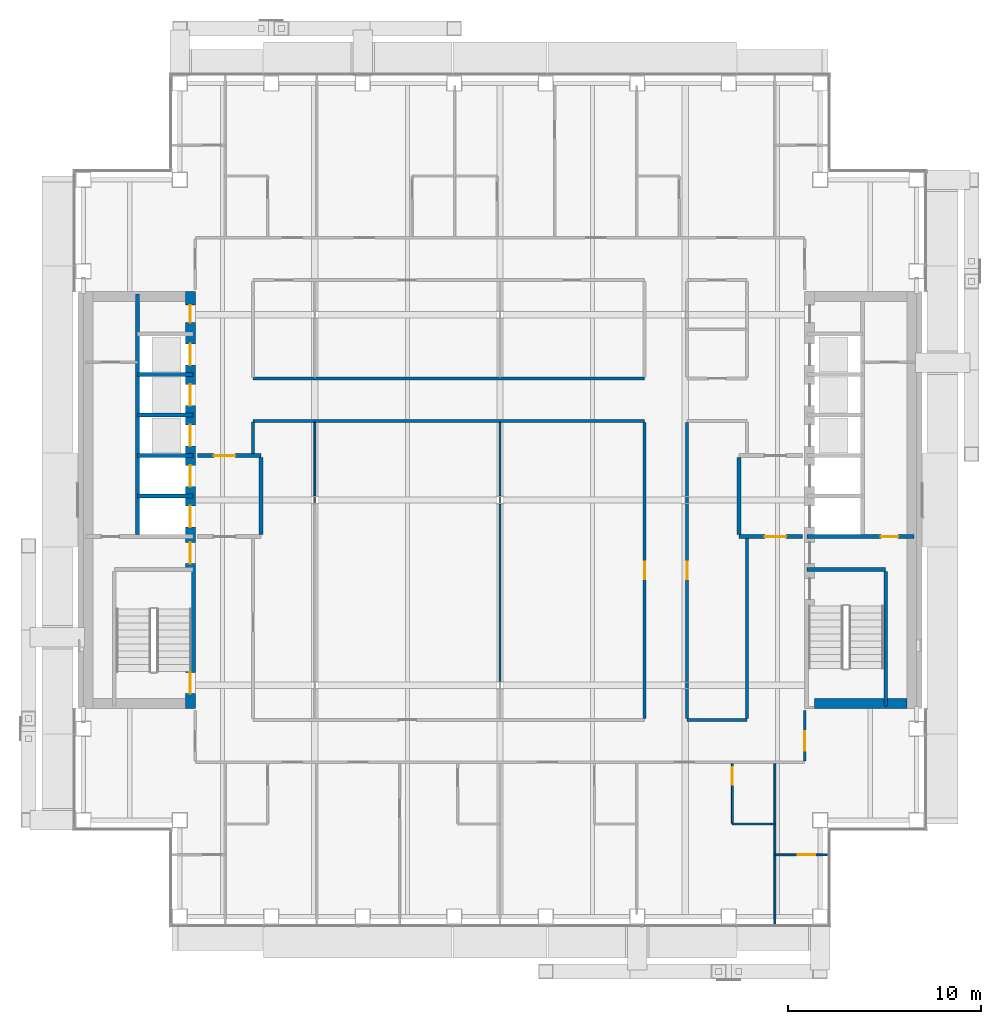
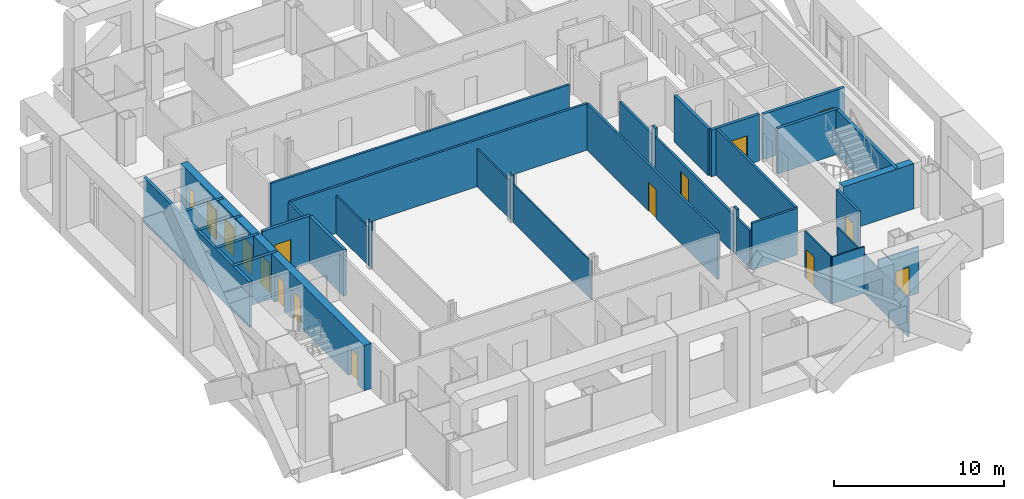
# One storey, part 13 of 22: 35 walls, 16 doors, 16 openings.
"""IFC4 building model written with IfcOpenShell, lengths in metres."""

from ifc_helpers import new_model, si_unit, direction, frame, frame_2d, origin, place, context, subcontext, project, spatial, rectangle, extrude, material, layer, layer_set, type_object, element, fill, save


model = new_model("IFC4")

# Units and contexts
model_context = context("Model", 3, precision=1e-05, world=origin(), true_north=direction((0.0, 1.0)))
body_context = subcontext(model_context, "Body", "Model", "MODEL_VIEW")
ifc_project = project(units=[si_unit("LENGTHUNIT", "METRE"), si_unit("AREAUNIT", "SQUARE_METRE"), si_unit("VOLUMEUNIT", "CUBIC_METRE"), si_unit("PLANEANGLEUNIT", "RADIAN"), si_unit("MASSUNIT", "GRAM", prefix="KILO")], contexts=[model_context])

# Site, building, storey
site_placement = place(None, origin())
site = spatial("IfcSite", under=ifc_project, at=site_placement, CompositionType="ELEMENT")
building_placement = place(site_placement, origin())
building = spatial("IfcBuilding", under=site, at=building_placement, Name="Cobrizo Arcos Hotel Tower", CompositionType="ELEMENT")
storey_placement = place(building_placement, frame((0.0, 0.0, 176.0)))
storey = spatial("IfcBuildingStorey", under=building, at=storey_placement, Name="L45", CompositionType="ELEMENT", Elevation=176.0)

# Walls
ifc_material_1 = material(Name="Gypsum board partition")
ifc_layer_1 = layer(ifc_material_1, 0.14990234375)
ifc_layer_set_1 = layer_set([ifc_layer_1], Name="Corridor wall EI 60 150")
wall_type_1 = type_object("IfcWallType", Name="Corridor wall EI 60 150", PredefinedType="PARTITIONING", material=ifc_layer_set_1)
wall_1_placement = place(storey_placement, frame((9.699951171875, -11.39990234375, 0.0), z_axis=(0.0, 0.0, 1.0), x_axis=(1.0, 0.0, 0.0)))
element("IfcWall", 1, at=wall_1_placement, inside=storey, type_object=wall_type_1, Name="Partition 009", PredefinedType="PARTITIONING", context=body_context, shape_type="SweptSolid", body=[
    extrude(rectangle(XDim=3.10009765625, YDim=0.14990234375, at=frame_2d((1.550048828125, 0.0))), origin(), (0.0, 0.0, 1.0), 3.35009765625),
])
for number, where, z_axis, x_axis, name in (
    (2, (-12.800048828125, 4.10009765625, 0.0), (0.0, 0.0, 1.0), (1.0, 0.0, 0.0), "Partition 022"),
    (3, (-12.800048828125, 6.300048828125, 0.0), (0.0, 0.0, 1.0), (1.0, 0.0, 0.0), "Partition 026"),
):
    element("IfcWall", number, at=place(storey_placement, frame(where, z_axis=z_axis, x_axis=x_axis)), inside=storey, type_object=wall_type_1, Name=name, PredefinedType="PARTITIONING", context=body_context, shape_type="SweptSolid", body=[
        extrude(rectangle(XDim=20.300048828125, YDim=0.14990234375, at=frame_2d((10.14990234375, 0.0))), origin(), (0.0, 0.0, 1.0), 3.35009765625),
    ])
wall_2_placement = place(storey_placement, frame((-12.800048828125, 2.39990234375, 0.0), z_axis=(0.0, 0.0, 1.0), x_axis=(0.0, 1.0, 0.0)))
element("IfcWall", 4, at=wall_2_placement, inside=storey, type_object=wall_type_1, Name="Partition 051", PredefinedType="PARTITIONING", context=body_context, shape_type="SweptSolid", body=[
    extrude(rectangle(XDim=1.650146484375, YDim=0.14990234375, at=frame_2d((0.8251953125, 0.0))), origin(), (0.0, 0.0, 1.0), 3.35009765625),
])

# Wall, opening, door
wall_3_placement = place(storey_placement, frame((7.5, -11.324951171875, 0.0), z_axis=(0.0, 0.0, 1.0), x_axis=(0.0, 1.0, 0.0)))
wall_3 = element("IfcWall", 5, at=wall_3_placement, inside=storey, type_object=wall_type_1, Name="Partition 086", PredefinedType="PARTITIONING", context=body_context, shape_type="SweptSolid", body=[
    extrude(rectangle(XDim=15.349853515625, YDim=0.14990234375, at=frame_2d((7.6748046875, 0.0))), origin(), (0.0, 0.0, 1.0), 3.35009765625),
])
opening_1_placement = place(wall_3_placement, frame((7.22509765625, 0.0, 0.0)))
opening_1 = element("IfcOpeningElement", 6, at=opening_1_placement, cuts=wall_3, Name="Opening RD-14", PredefinedType="OPENING", context=body_context, shape_type="SweptSolid", body=[
    extrude(rectangle(XDim=0.89990234375, YDim=2.10009765625, at=frame_2d((0.449951171875, 1.050048828125))), frame((0.0, 0.0869140625, 0.0), z_axis=(0.0, -1.0, 0.0), x_axis=(1.0, 0.0, 0.0)), (0.0, 0.0, 1.0), 0.173828125),
])
ifc_material_2 = material(Name="Timber door leaf", Category="wood")
door_type_1 = type_object("IfcDoorType", Name="Room door FD30 900x2100", OperationType="SINGLE_SWING_LEFT", PredefinedType="DOOR", material=ifc_material_2)
door_1_placement = place(opening_1_placement, origin())
door_1 = element("IfcDoor", 7, at=door_1_placement, inside=storey, type_object=door_type_1, Name="Door RD-14", OperationType="SINGLE_SWING_LEFT", OverallHeight=2.10009765625, OverallWidth=0.89990234375, PredefinedType="DOOR", context=body_context, shape_type="SweptSolid", body=[
    extrude(rectangle(XDim=0.89990234375, YDim=2.10009765625, at=frame_2d((0.449951171875, 1.050048828125))), frame((0.0, 0.02490234375, 0.0), z_axis=(0.0, -1.0, 0.0), x_axis=(1.0, 0.0, 0.0)), (0.0, 0.0, 1.0), 0.050048828125),
])
fill(opening_1, door_1)

# Walls
wall_4_placement = place(storey_placement, frame((9.699951171875, -11.324951171875, 0.0), z_axis=(0.0, 0.0, 1.0), x_axis=(0.0, 1.0, 0.0)))
element("IfcWall", 8, at=wall_4_placement, inside=storey, type_object=wall_type_1, Name="Partition 089", PredefinedType="PARTITIONING", context=body_context, shape_type="SweptSolid", body=[
    extrude(rectangle(XDim=1.537841796875, YDim=0.14990234375, at=frame_2d((0.76904296875, 0.0))), origin(), (0.0, 0.0, 1.0), 2.72802734375),
])
wall_5_placement = place(storey_placement, frame((9.699951171875, -9.787109375, 0.0), z_axis=(0.0, 0.0, 1.0), x_axis=(0.0, 1.0, 0.0)))
element("IfcWall", 9, at=wall_5_placement, inside=storey, type_object=wall_type_1, Name="Partition 090", PredefinedType="PARTITIONING", context=body_context, shape_type="SweptSolid", body=[
    extrude(rectangle(XDim=0.3740234375, YDim=0.14990234375, at=frame_2d((0.18701171875, 0.0))), origin(), (0.0, 0.0, 1.0), 3.35009765625),
])

# Wall, opening, door
wall_6_placement = place(storey_placement, frame((9.699951171875, -9.4130859375, 0.0), z_axis=(0.0, 0.0, 1.0), x_axis=(0.0, 1.0, 0.0)))
wall_6 = element("IfcWall", 10, at=wall_6_placement, inside=storey, type_object=wall_type_1, Name="Partition 091", PredefinedType="PARTITIONING", context=body_context, shape_type="SweptSolid", body=[
    extrude(rectangle(XDim=9.22607421875, YDim=0.14990234375, at=frame_2d((4.613037109375, 0.0))), origin(), (0.0, 0.0, 1.0), 2.72802734375),
])
opening_2_placement = place(wall_6_placement, frame((5.31298828125, 0.0, 0.0)))
opening_2 = element("IfcOpeningElement", 11, at=opening_2_placement, cuts=wall_6, Name="Opening RD-11", PredefinedType="OPENING", context=body_context, shape_type="SweptSolid", body=[
    extrude(rectangle(XDim=0.89990234375, YDim=2.10009765625, at=frame_2d((0.449951171875, 1.050048828125))), frame((0.0, 0.0869140625, 0.0), z_axis=(0.0, -1.0, 0.0), x_axis=(1.0, 0.0, 0.0)), (0.0, 0.0, 1.0), 0.173828125),
])
door_2_placement = place(opening_2_placement, origin())
door_2 = element("IfcDoor", 12, at=door_2_placement, inside=storey, type_object=door_type_1, Name="Door RD-11", OperationType="SINGLE_SWING_LEFT", OverallHeight=2.10009765625, OverallWidth=0.89990234375, PredefinedType="DOOR", context=body_context, shape_type="SweptSolid", body=[
    extrude(rectangle(XDim=0.89990234375, YDim=2.10009765625, at=frame_2d((0.449951171875, 1.050048828125))), frame((0.0, 0.02490234375, 0.0), z_axis=(0.0, -1.0, 0.0), x_axis=(1.0, 0.0, 0.0)), (0.0, 0.0, 1.0), 0.050048828125),
])
fill(opening_2, door_2)

# Walls
wall_7_placement = place(storey_placement, frame((9.699951171875, -0.18701171875, 0.0), z_axis=(0.0, 0.0, 1.0), x_axis=(0.0, 1.0, 0.0)))
element("IfcWall", 13, at=wall_7_placement, inside=storey, type_object=wall_type_1, Name="Partition 092", PredefinedType="PARTITIONING", context=body_context, shape_type="SweptSolid", body=[
    extrude(rectangle(XDim=0.3740234375, YDim=0.14990234375, at=frame_2d((0.18701171875, 0.0))), origin(), (0.0, 0.0, 1.0), 3.35009765625),
])
wall_8_placement = place(storey_placement, frame((9.699951171875, 0.18701171875, 0.0), z_axis=(0.0, 0.0, 1.0), x_axis=(0.0, 1.0, 0.0)))
element("IfcWall", 14, at=wall_8_placement, inside=storey, type_object=wall_type_1, Name="Partition 093", PredefinedType="PARTITIONING", context=body_context, shape_type="SweptSolid", body=[
    extrude(rectangle(XDim=3.837890625, YDim=0.14990234375, at=frame_2d((1.9189453125, 0.0))), origin(), (0.0, 0.0, 1.0), 2.72802734375),
])
wall_9_placement = place(storey_placement, frame((12.800048828125, -11.324951171875, 0.0), z_axis=(0.0, 0.0, 1.0), x_axis=(0.0, 1.0, 0.0)))
element("IfcWall", 15, at=wall_9_placement, inside=storey, type_object=wall_type_1, Name="Partition 099", PredefinedType="PARTITIONING", context=body_context, shape_type="SweptSolid", body=[
    extrude(rectangle(XDim=9.324951171875, YDim=0.14990234375, at=frame_2d((4.66259765625, 0.0))), origin(), (0.0, 0.0, 1.0), 3.35009765625),
])

# Wall, opening, door
wall_10_placement = place(storey_placement, frame((15.800048828125, -13.52490234375, 0.0), z_axis=(0.0, 0.0, 1.0), x_axis=(0.0, 1.0, 0.0)))
wall_10 = element("IfcWall", 16, at=wall_10_placement, inside=storey, type_object=wall_type_1, Name="Partition 105", PredefinedType="PARTITIONING", context=body_context, shape_type="SweptSolid", body=[
    extrude(rectangle(XDim=2.60498046875, YDim=0.14990234375, at=frame_2d((1.302490234375, 0.0))), origin(), (0.0, 0.0, 1.0), 3.35009765625),
])
opening_3_placement = place(wall_10_placement, frame((0.52490234375, 0.0, 0.0)))
opening_3 = element("IfcOpeningElement", 17, at=opening_3_placement, cuts=wall_10, Name="Opening GD-11", PredefinedType="OPENING", context=body_context, shape_type="SweptSolid", body=[
    extrude(rectangle(XDim=1.0, YDim=2.10009765625, at=frame_2d((0.5, 1.050048828125))), frame((0.0, 0.0869140625, 0.0), z_axis=(0.0, -1.0, 0.0), x_axis=(1.0, 0.0, 0.0)), (0.0, 0.0, 1.0), 0.173828125),
])
door_type_2 = type_object("IfcDoorType", Name="Guest room door FD30S 1000x2100", OperationType="SINGLE_SWING_LEFT", PredefinedType="DOOR", material=ifc_material_2)
door_3_placement = place(opening_3_placement, origin())
door_3 = element("IfcDoor", 18, at=door_3_placement, inside=storey, type_object=door_type_2, Name="Door GD-11", OperationType="SINGLE_SWING_RIGHT", OverallHeight=2.10009765625, OverallWidth=1.0, PredefinedType="DOOR", context=body_context, shape_type="SweptSolid", body=[
    extrude(rectangle(XDim=1.0, YDim=2.10009765625, at=frame_2d((0.5, 1.050048828125))), frame((0.0, 0.02490234375, 0.0), z_axis=(0.0, -1.0, 0.0), x_axis=(1.0, 0.0, 0.0)), (0.0, 0.0, 1.0), 0.050048828125),
])
fill(opening_3, door_3)

ifc_layer_2 = layer(ifc_material_1, 0.10009765625)
ifc_layer_set_2 = layer_set([ifc_layer_2], Name="Partition EI 30 100")
wall_type_2 = type_object("IfcWallType", Name="Partition EI 30 100", PredefinedType="PARTITIONING", material=ifc_layer_set_2)
wall_11_placement = place(storey_placement, frame((14.25, -18.39990234375, 0.0), z_axis=(0.0, 0.0, 1.0), x_axis=(1.0, 0.0, 0.0)))
wall_11 = element("IfcWall", 19, at=wall_11_placement, inside=storey, type_object=wall_type_2, Name="Partition 002", PredefinedType="PARTITIONING", context=body_context, shape_type="SweptSolid", body=[
    extrude(rectangle(XDim=2.780029296875, YDim=0.10009765625, at=frame_2d((1.39013671875, 0.0))), origin(), (0.0, 0.0, 1.0), 3.35009765625),
])
opening_4_placement = place(wall_11_placement, frame((1.18896484375, 0.0, 0.0)))
opening_4 = element("IfcOpeningElement", 20, at=opening_4_placement, cuts=wall_11, Name="Opening ED-11", PredefinedType="OPENING", context=body_context, shape_type="SweptSolid", body=[
    extrude(rectangle(XDim=0.89990234375, YDim=2.10009765625, at=frame_2d((0.449951171875, 1.050048828125))), frame((0.0, 0.06201171875, 0.0), z_axis=(0.0, -1.0, 0.0), x_axis=(1.0, 0.0, 0.0)), (0.0, 0.0, 1.0), 0.1240234375),
])
door_type_3 = type_object("IfcDoorType", Name="En-suite door 900x2100", OperationType="SINGLE_SWING_LEFT", PredefinedType="DOOR", material=ifc_material_2)
door_4_placement = place(opening_4_placement, origin())
door_4 = element("IfcDoor", 21, at=door_4_placement, inside=storey, type_object=door_type_3, Name="Door ED-11", OperationType="SINGLE_SWING_LEFT", OverallHeight=2.10009765625, OverallWidth=0.89990234375, PredefinedType="DOOR", context=body_context, shape_type="SweptSolid", body=[
    extrude(rectangle(XDim=0.89990234375, YDim=2.10009765625, at=frame_2d((0.449951171875, 1.050048828125))), frame((0.0, 0.02490234375, 0.0), z_axis=(0.0, -1.0, 0.0), x_axis=(1.0, 0.0, 0.0)), (0.0, 0.0, 1.0), 0.050048828125),
])
fill(opening_4, door_4)

# Walls
wall_12_placement = place(storey_placement, frame((12.050048828125, -16.800048828125, 0.0), z_axis=(0.0, 0.0, 1.0), x_axis=(1.0, 0.0, 0.0)))
element("IfcWall", 22, at=wall_12_placement, inside=storey, type_object=wall_type_2, Name="Partition 006", PredefinedType="PARTITIONING", context=body_context, shape_type="SweptSolid", body=[
    extrude(rectangle(XDim=2.199951171875, YDim=0.10009765625, at=frame_2d((1.10009765625, 0.0))), origin(), (0.0, 0.0, 1.0), 3.35009765625),
])
wall_13_placement = place(storey_placement, frame((-9.60009765625, -0.18701171875, 0.0), z_axis=(0.0, 0.0, 1.0), x_axis=(0.0, 1.0, 0.0)))
element("IfcWall", 23, at=wall_13_placement, inside=storey, type_object=wall_type_2, Name="Partition 060", PredefinedType="PARTITIONING", context=body_context, shape_type="SweptSolid", body=[
    extrude(rectangle(XDim=0.3740234375, YDim=0.10009765625, at=frame_2d((0.18701171875, 0.0))), origin(), (0.0, 0.0, 1.0), 3.35009765625),
])
wall_14_placement = place(storey_placement, frame((-9.60009765625, 0.18701171875, 0.0), z_axis=(0.0, 0.0, 1.0), x_axis=(0.0, 1.0, 0.0)))
element("IfcWall", 24, at=wall_14_placement, inside=storey, type_object=wall_type_2, Name="Partition 061", PredefinedType="PARTITIONING", context=body_context, shape_type="SweptSolid", body=[
    extrude(rectangle(XDim=3.837890625, YDim=0.10009765625, at=frame_2d((1.9189453125, 0.0))), origin(), (0.0, 0.0, 1.0), 2.72802734375),
])
wall_15_placement = place(storey_placement, frame((0.0, -9.4130859375, 0.0), z_axis=(0.0, 0.0, 1.0), x_axis=(0.0, 1.0, 0.0)))
element("IfcWall", 25, at=wall_15_placement, inside=storey, type_object=wall_type_2, Name="Partition 076", PredefinedType="PARTITIONING", context=body_context, shape_type="SweptSolid", body=[
    extrude(rectangle(XDim=9.22607421875, YDim=0.10009765625, at=frame_2d((4.613037109375, 0.0))), origin(), (0.0, 0.0, 1.0), 2.72802734375),
])
wall_16_placement = place(storey_placement, frame((0.0, -0.18701171875, 0.0), z_axis=(0.0, 0.0, 1.0), x_axis=(0.0, 1.0, 0.0)))
element("IfcWall", 26, at=wall_16_placement, inside=storey, type_object=wall_type_2, Name="Partition 077", PredefinedType="PARTITIONING", context=body_context, shape_type="SweptSolid", body=[
    extrude(rectangle(XDim=0.3740234375, YDim=0.10009765625, at=frame_2d((0.18701171875, 0.0))), origin(), (0.0, 0.0, 1.0), 3.35009765625),
])
wall_17_placement = place(storey_placement, frame((0.0, 0.18701171875, 0.0), z_axis=(0.0, 0.0, 1.0), x_axis=(0.0, 1.0, 0.0)))
element("IfcWall", 27, at=wall_17_placement, inside=storey, type_object=wall_type_2, Name="Partition 078", PredefinedType="PARTITIONING", context=body_context, shape_type="SweptSolid", body=[
    extrude(rectangle(XDim=3.837890625, YDim=0.10009765625, at=frame_2d((1.9189453125, 0.0))), origin(), (0.0, 0.0, 1.0), 2.72802734375),
])

# Wall, opening, door
wall_18_placement = place(storey_placement, frame((12.050048828125, -16.75, 0.0), z_axis=(0.0, 0.0, 1.0), x_axis=(0.0, 1.0, 0.0)))
wall_18 = element("IfcWall", 28, at=wall_18_placement, inside=storey, type_object=wall_type_2, Name="Partition 097", PredefinedType="PARTITIONING", context=body_context, shape_type="SweptSolid", body=[
    extrude(rectangle(XDim=3.074951171875, YDim=0.10009765625, at=frame_2d((1.53759765625, 0.0))), origin(), (0.0, 0.0, 1.0), 3.35009765625),
])
opening_5_placement = place(wall_18_placement, frame((1.99609375, 0.0, 0.0)))
opening_5 = element("IfcOpeningElement", 29, at=opening_5_placement, cuts=wall_18, Name="Opening ED-08", PredefinedType="OPENING", context=body_context, shape_type="SweptSolid", body=[
    extrude(rectangle(XDim=0.89990234375, YDim=2.10009765625, at=frame_2d((0.449951171875, 1.050048828125))), frame((0.0, 0.06201171875, 0.0), z_axis=(0.0, -1.0, 0.0), x_axis=(1.0, 0.0, 0.0)), (0.0, 0.0, 1.0), 0.1240234375),
])
door_5_placement = place(opening_5_placement, origin())
door_5 = element("IfcDoor", 30, at=door_5_placement, inside=storey, type_object=door_type_3, Name="Door ED-08", OperationType="SINGLE_SWING_RIGHT", OverallHeight=2.10009765625, OverallWidth=0.89990234375, PredefinedType="DOOR", context=body_context, shape_type="SweptSolid", body=[
    extrude(rectangle(XDim=0.89990234375, YDim=2.10009765625, at=frame_2d((0.449951171875, 1.050048828125))), frame((0.0, 0.02490234375, 0.0), z_axis=(0.0, -1.0, 0.0), x_axis=(1.0, 0.0, 0.0)), (0.0, 0.0, 1.0), 0.050048828125),
])
fill(opening_5, door_5)

# Walls
wall_19_placement = place(storey_placement, frame((14.25, -22.030029296875, 0.0), z_axis=(0.0, 0.0, 1.0), x_axis=(0.0, 1.0, 0.0)))
element("IfcWall", 31, at=wall_19_placement, inside=storey, type_object=wall_type_2, Name="Partition 103", PredefinedType="PARTITIONING", context=body_context, shape_type="SweptSolid", body=[
    extrude(rectangle(XDim=8.35498046875, YDim=0.10009765625, at=frame_2d((4.177490234375, 0.0))), origin(), (0.0, 0.0, 1.0), 2.81689453125),
])
ifc_material_3 = material(Name="Concrete f'c 50 MPa", Category="concrete")
ifc_layer_3 = layer(ifc_material_3, 0.5)
ifc_layer_set_3 = layer_set([ifc_layer_3], Name="RC core wall 500 f'c 50")
wall_type_3 = type_object("IfcWallType", Name="RC core wall 500 f'c 50", PredefinedType="SHEAR", material=ifc_layer_set_3)
wall_20_placement = place(storey_placement, frame((16.300048828125, -10.550048828125, 0.0), z_axis=(0.0, 0.0, 1.0), x_axis=(1.0, 0.0, 0.0)))
element("IfcWall", 32, at=wall_20_placement, inside=storey, type_object=wall_type_3, Name="Core wall CW3, east core, south end, L45", PredefinedType="SHEAR", context=body_context, shape_type="SweptSolid", body=[
    extrude(rectangle(XDim=4.800048828125, YDim=0.5, at=frame_2d((2.39990234375, 0.0))), origin(), (0.0, 0.0, 1.0), 3.25),
])

# Wall, openings, doors
wall_21_placement = place(storey_placement, frame((-16.050048828125, -10.800048828125, 0.0), z_axis=(0.0, 0.0, 1.0), x_axis=(0.0, 1.0, 0.0)))
wall_21 = element("IfcWall", 33, at=wall_21_placement, inside=storey, type_object=wall_type_3, Name="Core wall CW3, west core, inner face, L45", PredefinedType="SHEAR", context=body_context, shape_type="SweptSolid", body=[
    extrude(rectangle(XDim=21.60009765625, YDim=0.5, at=frame_2d((10.800048828125, 0.0))), origin(), (0.0, 0.0, 1.0), 3.25),
])
opening_6_placement = place(wall_21_placement, frame((9.39990234375, 0.0, 0.0)))
opening_6 = element("IfcOpeningElement", 34, at=opening_6_placement, cuts=wall_21, Name="Opening LD-01", PredefinedType="OPENING", context=body_context, shape_type="SweptSolid", body=[
    extrude(rectangle(XDim=1.10009765625, YDim=2.10009765625, at=frame_2d((0.550048828125, 1.050048828125))), frame((0.0, 0.261962890625, 0.0), z_axis=(0.0, -1.0, 0.0), x_axis=(1.0, 0.0, 0.0)), (0.0, 0.0, 1.0), 0.52392578125),
])
opening_7_placement = place(wall_21_placement, frame((11.5, 0.0, 0.0)))
opening_7 = element("IfcOpeningElement", 35, at=opening_7_placement, cuts=wall_21, Name="Opening LD-02", PredefinedType="OPENING", context=body_context, shape_type="SweptSolid", body=[
    extrude(rectangle(XDim=1.10009765625, YDim=2.10009765625, at=frame_2d((0.550048828125, 1.050048828125))), frame((0.0, 0.261962890625, 0.0), z_axis=(0.0, -1.0, 0.0), x_axis=(1.0, 0.0, 0.0)), (0.0, 0.0, 1.0), 0.52392578125),
])
opening_8_placement = place(wall_21_placement, frame((13.60009765625, 0.0, 0.0)))
opening_8 = element("IfcOpeningElement", 36, at=opening_8_placement, cuts=wall_21, Name="Opening LD-03", PredefinedType="OPENING", context=body_context, shape_type="SweptSolid", body=[
    extrude(rectangle(XDim=1.10009765625, YDim=2.10009765625, at=frame_2d((0.550048828125, 1.050048828125))), frame((0.0, 0.261962890625, 0.0), z_axis=(0.0, -1.0, 0.0), x_axis=(1.0, 0.0, 0.0)), (0.0, 0.0, 1.0), 0.52392578125),
])
opening_9_placement = place(wall_21_placement, frame((15.699951171875, 0.0, 0.0)))
opening_9 = element("IfcOpeningElement", 37, at=opening_9_placement, cuts=wall_21, Name="Opening LD-04", PredefinedType="OPENING", context=body_context, shape_type="SweptSolid", body=[
    extrude(rectangle(XDim=1.10009765625, YDim=2.10009765625, at=frame_2d((0.550048828125, 1.050048828125))), frame((0.0, 0.261962890625, 0.0), z_axis=(0.0, -1.0, 0.0), x_axis=(1.0, 0.0, 0.0)), (0.0, 0.0, 1.0), 0.52392578125),
])
opening_10_placement = place(wall_21_placement, frame((17.800048828125, 0.0, 0.0)))
opening_10 = element("IfcOpeningElement", 38, at=opening_10_placement, cuts=wall_21, Name="Opening LD-05", PredefinedType="OPENING", context=body_context, shape_type="SweptSolid", body=[
    extrude(rectangle(XDim=1.10009765625, YDim=2.10009765625, at=frame_2d((0.550048828125, 1.050048828125))), frame((0.0, 0.261962890625, 0.0), z_axis=(0.0, -1.0, 0.0), x_axis=(1.0, 0.0, 0.0)), (0.0, 0.0, 1.0), 0.52392578125),
])
opening_11_placement = place(wall_21_placement, frame((0.758056640625, 0.0, 0.0)))
opening_11 = element("IfcOpeningElement", 39, at=opening_11_placement, cuts=wall_21, Name="Opening SD-01", PredefinedType="OPENING", context=body_context, shape_type="SweptSolid", body=[
    extrude(rectangle(XDim=1.10009765625, YDim=2.10009765625, at=frame_2d((0.550048828125, 1.050048828125))), frame((0.0, 0.261962890625, 0.0), z_axis=(0.0, -1.0, 0.0), x_axis=(1.0, 0.0, 0.0)), (0.0, 0.0, 1.0), 0.52392578125),
])
opening_12_placement = place(wall_21_placement, frame((7.5, 0.0, 0.0)))
opening_12 = element("IfcOpeningElement", 40, at=opening_12_placement, cuts=wall_21, Name="Opening FD-01", PredefinedType="OPENING", context=body_context, shape_type="SweptSolid", body=[
    extrude(rectangle(XDim=1.10009765625, YDim=2.10009765625, at=frame_2d((0.550048828125, 1.050048828125))), frame((0.0, 0.261962890625, 0.0), z_axis=(0.0, -1.0, 0.0), x_axis=(1.0, 0.0, 0.0)), (0.0, 0.0, 1.0), 0.52392578125),
])
opening_13_placement = place(wall_21_placement, frame((20.0, 0.0, 0.0)))
opening_13 = element("IfcOpeningElement", 41, at=opening_13_placement, cuts=wall_21, Name="Opening RD-01", PredefinedType="OPENING", context=body_context, shape_type="SweptSolid", body=[
    extrude(rectangle(XDim=0.89990234375, YDim=2.10009765625, at=frame_2d((0.449951171875, 1.050048828125))), frame((0.0, 0.261962890625, 0.0), z_axis=(0.0, -1.0, 0.0), x_axis=(1.0, 0.0, 0.0)), (0.0, 0.0, 1.0), 0.52392578125),
])
ifc_material_4 = material(Name="Steel door leaf", Category="steel")
door_type_4 = type_object("IfcDoorType", Name="Fire door FD60 1100x2100", OperationType="SINGLE_SWING_LEFT", PredefinedType="DOOR", material=ifc_material_4)
door_6_placement = place(opening_12_placement, origin())
door_6 = element("IfcDoor", 42, at=door_6_placement, inside=storey, type_object=door_type_4, Name="Door FD-01", OperationType="SINGLE_SWING_RIGHT", OverallHeight=2.10009765625, OverallWidth=1.10009765625, PredefinedType="DOOR", context=body_context, shape_type="SweptSolid", body=[
    extrude(rectangle(XDim=1.10009765625, YDim=2.10009765625, at=frame_2d((0.550048828125, 1.050048828125))), frame((0.0, 0.02490234375, 0.0), z_axis=(0.0, -1.0, 0.0), x_axis=(1.0, 0.0, 0.0)), (0.0, 0.0, 1.0), 0.050048828125),
])
fill(opening_12, door_6)
door_type_5 = type_object("IfcDoorType", Name="Lift landing door 1100x2100", OperationType="SLIDING_TO_LEFT", PredefinedType="DOOR", material=ifc_material_4)
door_7_placement = place(opening_6_placement, origin())
door_7 = element("IfcDoor", 43, at=door_7_placement, inside=storey, type_object=door_type_5, Name="Lift landing door LD-01", OperationType="SLIDING_TO_LEFT", OverallHeight=2.10009765625, OverallWidth=1.10009765625, PredefinedType="DOOR", context=body_context, shape_type="SweptSolid", body=[
    extrude(rectangle(XDim=1.10009765625, YDim=2.10009765625, at=frame_2d((0.550048828125, 1.050048828125))), frame((0.0, 0.02490234375, 0.0), z_axis=(0.0, -1.0, 0.0), x_axis=(1.0, 0.0, 0.0)), (0.0, 0.0, 1.0), 0.050048828125),
])
fill(opening_6, door_7)
door_8_placement = place(opening_7_placement, origin())
door_8 = element("IfcDoor", 44, at=door_8_placement, inside=storey, type_object=door_type_5, Name="Lift landing door LD-02", OperationType="SLIDING_TO_LEFT", OverallHeight=2.10009765625, OverallWidth=1.10009765625, PredefinedType="DOOR", context=body_context, shape_type="SweptSolid", body=[
    extrude(rectangle(XDim=1.10009765625, YDim=2.10009765625, at=frame_2d((0.550048828125, 1.050048828125))), frame((0.0, 0.02490234375, 0.0), z_axis=(0.0, -1.0, 0.0), x_axis=(1.0, 0.0, 0.0)), (0.0, 0.0, 1.0), 0.050048828125),
])
fill(opening_7, door_8)
door_9_placement = place(opening_8_placement, origin())
door_9 = element("IfcDoor", 45, at=door_9_placement, inside=storey, type_object=door_type_5, Name="Lift landing door LD-03", OperationType="SLIDING_TO_LEFT", OverallHeight=2.10009765625, OverallWidth=1.10009765625, PredefinedType="DOOR", context=body_context, shape_type="SweptSolid", body=[
    extrude(rectangle(XDim=1.10009765625, YDim=2.10009765625, at=frame_2d((0.550048828125, 1.050048828125))), frame((0.0, 0.02490234375, 0.0), z_axis=(0.0, -1.0, 0.0), x_axis=(1.0, 0.0, 0.0)), (0.0, 0.0, 1.0), 0.050048828125),
])
fill(opening_8, door_9)
door_10_placement = place(opening_9_placement, origin())
door_10 = element("IfcDoor", 46, at=door_10_placement, inside=storey, type_object=door_type_5, Name="Lift landing door LD-04", OperationType="SLIDING_TO_LEFT", OverallHeight=2.10009765625, OverallWidth=1.10009765625, PredefinedType="DOOR", context=body_context, shape_type="SweptSolid", body=[
    extrude(rectangle(XDim=1.10009765625, YDim=2.10009765625, at=frame_2d((0.550048828125, 1.050048828125))), frame((0.0, 0.02490234375, 0.0), z_axis=(0.0, -1.0, 0.0), x_axis=(1.0, 0.0, 0.0)), (0.0, 0.0, 1.0), 0.050048828125),
])
fill(opening_9, door_10)
door_11_placement = place(opening_10_placement, origin())
door_11 = element("IfcDoor", 47, at=door_11_placement, inside=storey, type_object=door_type_5, Name="Lift landing door LD-05", OperationType="SLIDING_TO_LEFT", OverallHeight=2.10009765625, OverallWidth=1.10009765625, PredefinedType="DOOR", context=body_context, shape_type="SweptSolid", body=[
    extrude(rectangle(XDim=1.10009765625, YDim=2.10009765625, at=frame_2d((0.550048828125, 1.050048828125))), frame((0.0, 0.02490234375, 0.0), z_axis=(0.0, -1.0, 0.0), x_axis=(1.0, 0.0, 0.0)), (0.0, 0.0, 1.0), 0.050048828125),
])
fill(opening_10, door_11)
door_12_placement = place(opening_13_placement, origin())
door_12 = element("IfcDoor", 48, at=door_12_placement, inside=storey, type_object=door_type_1, Name="Door RD-01", OperationType="SINGLE_SWING_RIGHT", OverallHeight=2.10009765625, OverallWidth=0.89990234375, PredefinedType="DOOR", context=body_context, shape_type="SweptSolid", body=[
    extrude(rectangle(XDim=0.89990234375, YDim=2.10009765625, at=frame_2d((0.449951171875, 1.050048828125))), frame((0.0, 0.02490234375, 0.0), z_axis=(0.0, -1.0, 0.0), x_axis=(1.0, 0.0, 0.0)), (0.0, 0.0, 1.0), 0.050048828125),
])
fill(opening_13, door_12)
door_type_6 = type_object("IfcDoorType", Name="Stair door FD60S 1100x2100", OperationType="SINGLE_SWING_LEFT", PredefinedType="DOOR", material=ifc_material_4)
door_13_placement = place(opening_11_placement, origin())
door_13 = element("IfcDoor", 49, at=door_13_placement, inside=storey, type_object=door_type_6, Name="Door SD-01", OperationType="SINGLE_SWING_LEFT", OverallHeight=2.10009765625, OverallWidth=1.10009765625, PredefinedType="DOOR", context=body_context, shape_type="SweptSolid", body=[
    extrude(rectangle(XDim=1.10009765625, YDim=2.10009765625, at=frame_2d((0.550048828125, 1.050048828125))), frame((0.0, 0.02490234375, 0.0), z_axis=(0.0, -1.0, 0.0), x_axis=(1.0, 0.0, 0.0)), (0.0, 0.0, 1.0), 0.050048828125),
])
fill(opening_11, door_13)

# Wall, opening, door
ifc_layer_4 = layer(ifc_material_1, 0.199951171875)
ifc_layer_set_4 = layer_set([ifc_layer_4], Name="Shaft wall EI 120 200")
wall_type_4 = type_object("IfcWallType", Name="Shaft wall EI 120 200", PredefinedType="PARTITIONING", material=ifc_layer_set_4)
wall_22_placement = place(storey_placement, frame((12.39990234375, -1.89990234375, 0.0), z_axis=(0.0, 0.0, 1.0), x_axis=(1.0, 0.0, 0.0)))
wall_22 = element("IfcWall", 50, at=wall_22_placement, inside=storey, type_object=wall_type_4, Name="Partition 014", PredefinedType="PARTITIONING", context=body_context, shape_type="SweptSolid", body=[
    extrude(rectangle(XDim=3.280029296875, YDim=0.199951171875, at=frame_2d((1.64013671875, 0.0))), origin(), (0.0, 0.0, 1.0), 3.35009765625),
])
opening_14_placement = place(wall_22_placement, frame((1.340087890625, 0.0, 0.0)))
opening_14 = element("IfcOpeningElement", 51, at=opening_14_placement, cuts=wall_22, Name="Opening FD-06", PredefinedType="OPENING", context=body_context, shape_type="SweptSolid", body=[
    extrude(rectangle(XDim=1.10009765625, YDim=2.10009765625, at=frame_2d((0.550048828125, 1.050048828125))), frame((0.0, 0.112060546875, 0.0), z_axis=(0.0, -1.0, 0.0), x_axis=(1.0, 0.0, 0.0)), (0.0, 0.0, 1.0), 0.223876953125),
])
door_14_placement = place(opening_14_placement, origin())
door_14 = element("IfcDoor", 52, at=door_14_placement, inside=storey, type_object=door_type_4, Name="Door FD-06", OperationType="SINGLE_SWING_RIGHT", OverallHeight=2.10009765625, OverallWidth=1.10009765625, PredefinedType="DOOR", context=body_context, shape_type="SweptSolid", body=[
    extrude(rectangle(XDim=1.10009765625, YDim=2.10009765625, at=frame_2d((0.550048828125, 1.050048828125))), frame((0.0, 0.02490234375, 0.0), z_axis=(0.0, -1.0, 0.0), x_axis=(1.0, 0.0, 0.0)), (0.0, 0.0, 1.0), 0.050048828125),
])
fill(opening_14, door_14)

wall_23_placement = place(storey_placement, frame((15.919921875, -1.89990234375, 0.0), z_axis=(0.0, 0.0, 1.0), x_axis=(1.0, 0.0, 0.0)))
wall_23 = element("IfcWall", 53, at=wall_23_placement, inside=storey, type_object=wall_type_4, Name="Partition 015", PredefinedType="PARTITIONING", context=body_context, shape_type="SweptSolid", body=[
    extrude(rectangle(XDim=5.56005859375, YDim=0.199951171875, at=frame_2d((2.780029296875, 0.0))), origin(), (0.0, 0.0, 1.0), 3.25),
])
opening_15_placement = place(wall_23_placement, frame((3.830078125, 0.0, 0.0)))
opening_15 = element("IfcOpeningElement", 54, at=opening_15_placement, cuts=wall_23, Name="Opening RD-05", PredefinedType="OPENING", context=body_context, shape_type="SweptSolid", body=[
    extrude(rectangle(XDim=0.89990234375, YDim=2.10009765625, at=frame_2d((0.449951171875, 1.050048828125))), frame((0.0, 0.112060546875, 0.0), z_axis=(0.0, -1.0, 0.0), x_axis=(1.0, 0.0, 0.0)), (0.0, 0.0, 1.0), 0.223876953125),
])
door_15_placement = place(opening_15_placement, origin())
door_15 = element("IfcDoor", 55, at=door_15_placement, inside=storey, type_object=door_type_1, Name="Door RD-05", OperationType="SINGLE_SWING_RIGHT", OverallHeight=2.10009765625, OverallWidth=0.89990234375, PredefinedType="DOOR", context=body_context, shape_type="SweptSolid", body=[
    extrude(rectangle(XDim=0.89990234375, YDim=2.10009765625, at=frame_2d((0.449951171875, 1.050048828125))), frame((0.0, 0.02490234375, 0.0), z_axis=(0.0, -1.0, 0.0), x_axis=(1.0, 0.0, 0.0)), (0.0, 0.0, 1.0), 0.050048828125),
])
fill(opening_15, door_15)

# Walls
for number, where, z_axis, x_axis, name in (
    (56, (-18.800048828125, 0.199951171875, 0.0), (0.0, 0.0, 1.0), (1.0, 0.0, 0.0), "Partition 016"),
    (57, (-18.800048828125, 2.300048828125, 0.0), (0.0, 0.0, 1.0), (1.0, 0.0, 0.0), "Partition 018"),
):
    element("IfcWall", number, at=place(storey_placement, frame(where, z_axis=z_axis, x_axis=x_axis)), inside=storey, type_object=wall_type_4, Name=name, PredefinedType="PARTITIONING", context=body_context, shape_type="SweptSolid", body=[
        extrude(rectangle(XDim=2.880126953125, YDim=0.199951171875, at=frame_2d((1.43994140625, 0.0))), origin(), (0.0, 0.0, 1.0), 3.25),
    ])

# Wall, opening, door
wall_24_placement = place(storey_placement, frame((-15.679931640625, 2.300048828125, 0.0), z_axis=(0.0, 0.0, 1.0), x_axis=(1.0, 0.0, 0.0)))
wall_24 = element("IfcWall", 58, at=wall_24_placement, inside=storey, type_object=wall_type_4, Name="Partition 019", PredefinedType="PARTITIONING", context=body_context, shape_type="SweptSolid", body=[
    extrude(rectangle(XDim=3.280029296875, YDim=0.199951171875, at=frame_2d((1.64013671875, 0.0))), origin(), (0.0, 0.0, 1.0), 3.35009765625),
])
opening_16_placement = place(wall_24_placement, frame((0.840087890625, 0.0, 0.0)))
opening_16 = element("IfcOpeningElement", 59, at=opening_16_placement, cuts=wall_24, Name="Opening FD-02", PredefinedType="OPENING", context=body_context, shape_type="SweptSolid", body=[
    extrude(rectangle(XDim=1.10009765625, YDim=2.10009765625, at=frame_2d((0.550048828125, 1.050048828125))), frame((0.0, 0.112060546875, 0.0), z_axis=(0.0, -1.0, 0.0), x_axis=(1.0, 0.0, 0.0)), (0.0, 0.0, 1.0), 0.223876953125),
])
door_16_placement = place(opening_16_placement, origin())
door_16 = element("IfcDoor", 60, at=door_16_placement, inside=storey, type_object=door_type_4, Name="Door FD-02", OperationType="SINGLE_SWING_RIGHT", OverallHeight=2.10009765625, OverallWidth=1.10009765625, PredefinedType="DOOR", context=body_context, shape_type="SweptSolid", body=[
    extrude(rectangle(XDim=1.10009765625, YDim=2.10009765625, at=frame_2d((0.550048828125, 1.050048828125))), frame((0.0, 0.02490234375, 0.0), z_axis=(0.0, -1.0, 0.0), x_axis=(1.0, 0.0, 0.0)), (0.0, 0.0, 1.0), 0.050048828125),
])
fill(opening_16, door_16)

# Walls
for number, where, z_axis, x_axis, name in (
    (61, (-18.800048828125, 4.39990234375, 0.0), (0.0, 0.0, 1.0), (1.0, 0.0, 0.0), "Partition 024"),
    (62, (-18.800048828125, 6.5, 0.0), (0.0, 0.0, 1.0), (1.0, 0.0, 0.0), "Partition 028"),
):
    element("IfcWall", number, at=place(storey_placement, frame(where, z_axis=z_axis, x_axis=x_axis)), inside=storey, type_object=wall_type_4, Name=name, PredefinedType="PARTITIONING", context=body_context, shape_type="SweptSolid", body=[
        extrude(rectangle(XDim=2.880126953125, YDim=0.199951171875, at=frame_2d((1.43994140625, 0.0))), origin(), (0.0, 0.0, 1.0), 3.25),
    ])
wall_25_placement = place(storey_placement, frame((-18.800048828125, -1.800048828125, 0.0), z_axis=(0.0, 0.0, 1.0), x_axis=(0.0, 1.0, 0.0)))
element("IfcWall", 63, at=wall_25_placement, inside=storey, type_object=wall_type_4, Name="Partition 045", PredefinedType="PARTITIONING", context=body_context, shape_type="SweptSolid", body=[
    extrude(rectangle(XDim=12.47998046875, YDim=0.199951171875, at=frame_2d((6.239990234375, 0.0))), origin(), (0.0, 0.0, 1.0), 3.25),
])
for number, where, z_axis, x_axis, name in (
    (64, (-12.39990234375, -1.800048828125, 0.0), (0.0, 0.0, 1.0), (0.0, 1.0, 0.0), "Partition 054"),
    (65, (12.39990234375, -1.800048828125, 0.0), (0.0, 0.0, 1.0), (0.0, 1.0, 0.0), "Partition 098"),
):
    element("IfcWall", number, at=place(storey_placement, frame(where, z_axis=z_axis, x_axis=x_axis)), inside=storey, type_object=wall_type_4, Name=name, PredefinedType="PARTITIONING", context=body_context, shape_type="SweptSolid", body=[
        extrude(rectangle(XDim=4.0, YDim=0.199951171875, at=frame_2d((2.0, 0.0))), origin(), (0.0, 0.0, 1.0), 3.35009765625),
    ])
ifc_material_5 = material(Name="Concrete f'c 40 MPa", Category="concrete")
ifc_layer_5 = layer(ifc_material_5, 0.199951171875)
ifc_layer_set_5 = layer_set([ifc_layer_5], Name="Stair shaft wall 200")
wall_type_5 = type_object("IfcWallType", Name="Stair shaft wall 200", PredefinedType="SHEAR", material=ifc_layer_set_5)
wall_26_placement = place(storey_placement, frame((15.919921875, -3.60009765625, 0.0), z_axis=(0.0, 0.0, 1.0), x_axis=(1.0, 0.0, 0.0)))
element("IfcWall", 66, at=wall_26_placement, inside=storey, type_object=wall_type_5, Name="Stair shaft wall E", PredefinedType="SHEAR", context=body_context, shape_type="SweptSolid", body=[
    extrude(rectangle(XDim=4.080078125, YDim=0.199951171875, at=frame_2d((2.0400390625, 0.0))), origin(), (0.0, 0.0, 1.0), 3.25),
])
wall_27_placement = place(storey_placement, frame((20.0, -10.679931640625, 0.0), z_axis=(0.0, 0.0, 1.0), x_axis=(0.0, 1.0, 0.0)))
element("IfcWall", 67, at=wall_27_placement, inside=storey, type_object=wall_type_5, Name="Stair shaft wall E", PredefinedType="SHEAR", context=body_context, shape_type="SweptSolid", body=[
    extrude(rectangle(XDim=6.97998046875, YDim=0.199951171875, at=frame_2d((3.489990234375, 0.0))), origin(), (0.0, 0.0, 1.0), 3.25),
])

save(model, "model.ifc")
